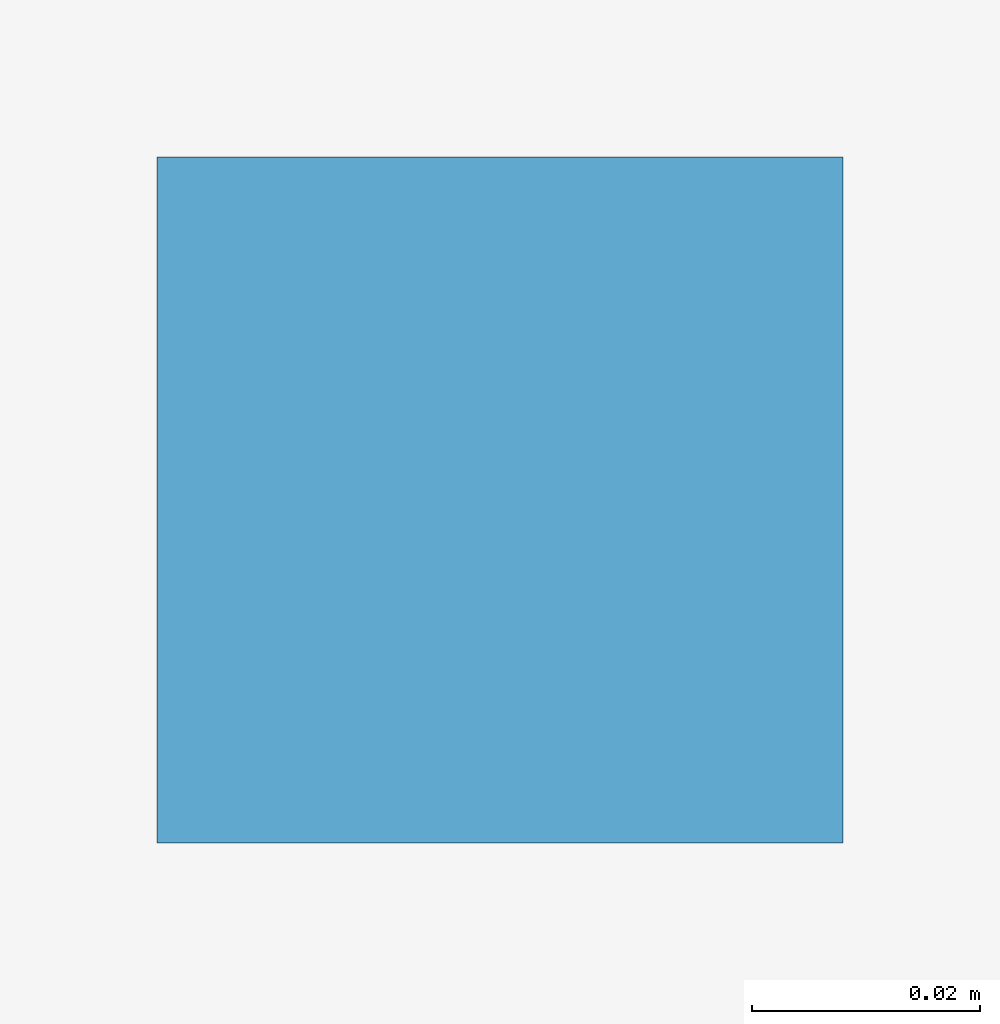
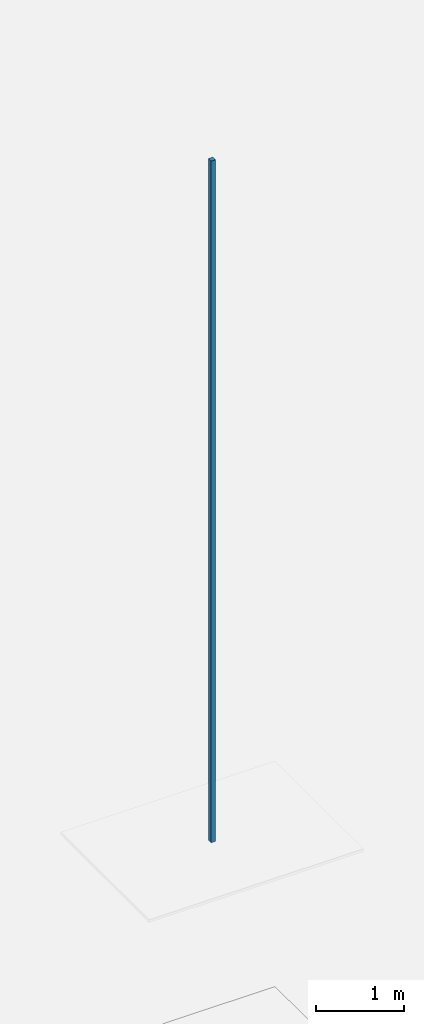
# One storey, part 122 of 139: 1 discrete accessory.
"""IFC4 building model written with IfcOpenShell, lengths in metres."""

from ifc_helpers import new_model, si_unit, derived_unit, direction, frame, origin, origin_2d, place, context, subcontext, project, spatial, rectangle, extrude, material, layer, layer_set, type_object, element, save


model = new_model("IFC4")

# Units and contexts
model_context = context("Model", 3, precision=1e-05, world=origin(), true_north=direction((0.0, 1.0)))
body_context = subcontext(model_context, "Body", "Model", "MODEL_VIEW")
ifc_project = project(units=[si_unit("LENGTHUNIT", "METRE"), si_unit("AREAUNIT", "SQUARE_METRE"), si_unit("VOLUMEUNIT", "CUBIC_METRE"), si_unit("PLANEANGLEUNIT", "RADIAN"), si_unit("MASSUNIT", "GRAM", prefix="KILO"), derived_unit("THERMALTRANSMITTANCEUNIT", [(si_unit("MASSUNIT", "GRAM", prefix="KILO"), 1), (si_unit("TIMEUNIT", "SECOND"), -3), (si_unit("THERMODYNAMICTEMPERATUREUNIT", "KELVIN"), -1)])], contexts=[model_context])

# Site, building, storey
site_placement = place(None, origin())
site = spatial("IfcSite", under=ifc_project, at=site_placement, CompositionType="ELEMENT")
building_placement = place(site_placement, origin())
building = spatial("IfcBuilding", under=site, at=building_placement, Name="Makaiwela Harbour Ferry Terminal", CompositionType="ELEMENT")
storey_placement = place(building_placement, frame((0.0, 0.0, 5.10009765625)))
storey = spatial("IfcBuildingStorey", under=building, at=storey_placement, Name="L01", CompositionType="ELEMENT", Elevation=5.10009765625)

# Discrete accessory
ifc_material = material(Name="Marine grade 316L brushed stainless steel", Category="steel")
ifc_layer = layer(ifc_material, 1.0)
ifc_layer_set = layer_set([ifc_layer], Name="Marine grade 316L brushed stainless steel")
discrete_accessory_type = type_object("IfcDiscreteAccessoryType", Name="INT-ACC-HNG", PredefinedType="BRACKET", material=ifc_layer_set)
discrete_accessory_placement = place(storey_placement, frame((123.199951171875, 81.89990234375, 3.134765625), z_axis=(0.0, 0.0, 1.0), x_axis=(1.0, 0.0, 0.0)))
element("IfcDiscreteAccessory", 1, at=discrete_accessory_placement, inside=storey, type_object=discrete_accessory_type, Name="Ceiling Suspension Bracket HNG-039", PredefinedType="BRACKET", context=body_context, shape_type="SweptSolid", body=[
    extrude(rectangle(XDim=0.06005859375, YDim=0.06005859375, at=origin_2d()), origin(), (0.0, 0.0, 1.0), 9.409912109375),
])

save(model, "model.ifc")
